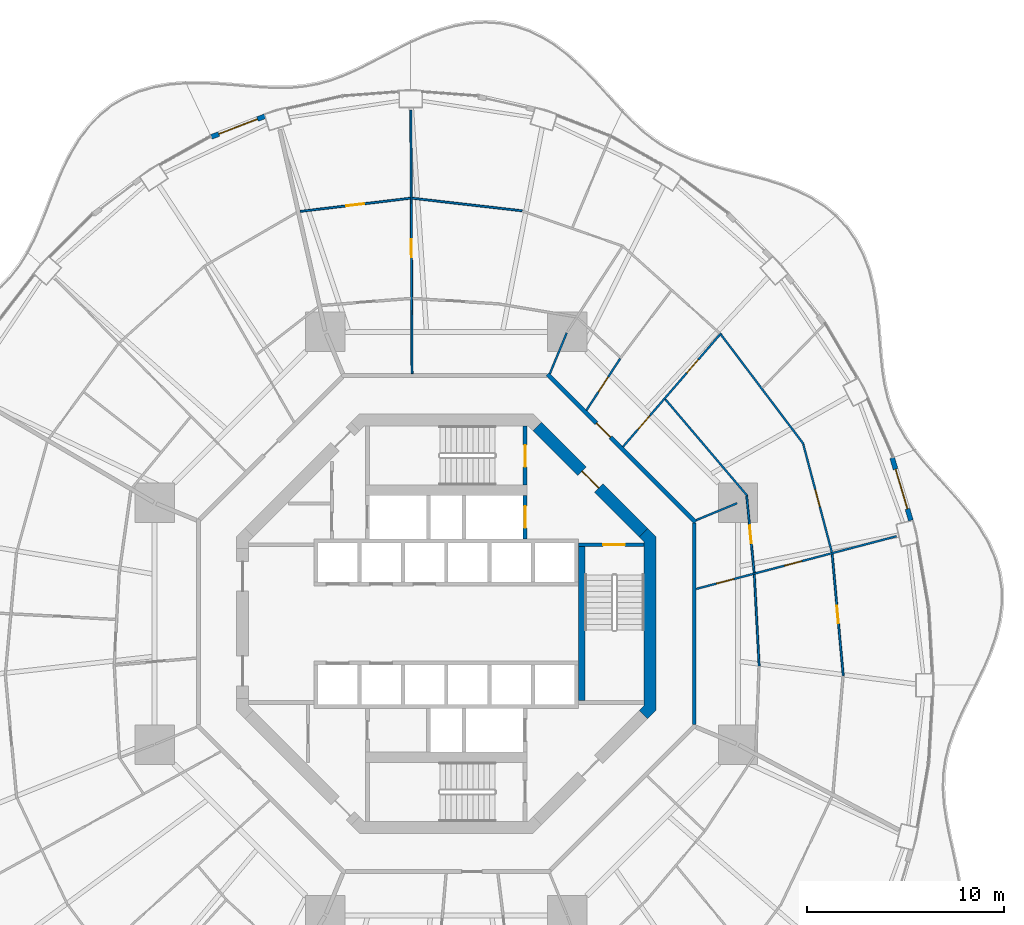
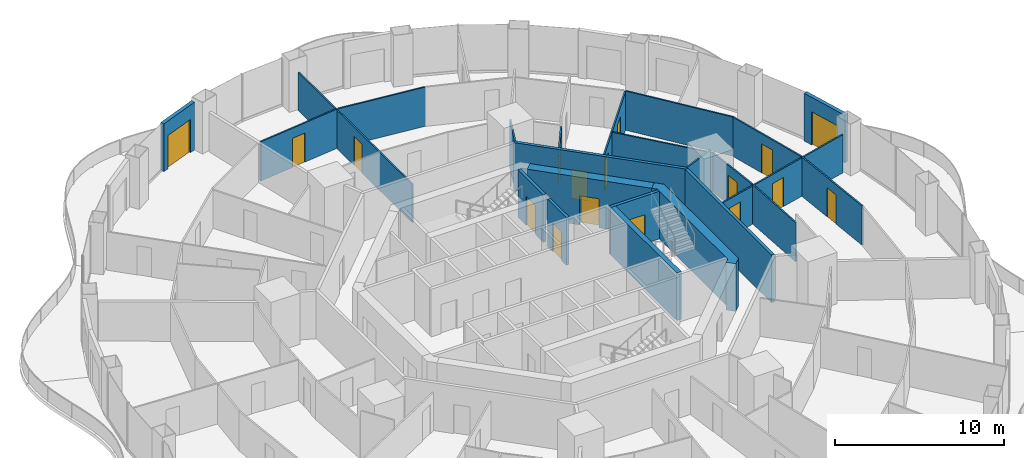
# One storey, part 16 of 20: 24 walls, 17 doors, 17 openings.
"""IFC4 building model written with IfcOpenShell, lengths in metres."""

from ifc_helpers import new_model, si_unit, direction, frame, frame_2d, origin, place, context, subcontext, project, spatial, polyline, rectangle, outline, extrude, material, layer, layer_set, type_object, element, fill, save


model = new_model("IFC4")

# Units and contexts
model_context = context("Model", 3, precision=1e-05, world=origin(), true_north=direction((0.0, 1.0)))
body_context = subcontext(model_context, "Body", "Model", "MODEL_VIEW")
ifc_project = project(units=[si_unit("LENGTHUNIT", "METRE"), si_unit("AREAUNIT", "SQUARE_METRE"), si_unit("VOLUMEUNIT", "CUBIC_METRE"), si_unit("PLANEANGLEUNIT", "RADIAN"), si_unit("MASSUNIT", "GRAM", prefix="KILO")], contexts=[model_context])

# Site, building, storey
site_placement = place(None, origin())
site = spatial("IfcSite", under=ifc_project, at=site_placement, CompositionType="ELEMENT")
building_placement = place(site_placement, origin())
building = spatial("IfcBuilding", under=site, at=building_placement, Name="Nagisa Residences", CompositionType="ELEMENT")
storey_placement = place(building_placement, frame((0.0, 0.0, 141.800048828125)))
storey = spatial("IfcBuildingStorey", under=building, at=storey_placement, Name="L35", CompositionType="ELEMENT", Elevation=141.800048828125)

# Wall
ifc_material_1 = material(Name="Gypsum board on steel studs", Category="steel")
ifc_layer_1 = layer(ifc_material_1, 0.199951171875)
ifc_layer_set_1 = layer_set([ifc_layer_1], Name="Apartment entry wall EI60 200")
wall_type_1 = type_object("IfcWallType", Name="Apartment entry wall EI60 200", PredefinedType="PARTITIONING", material=ifc_layer_set_1)
wall_1_placement = place(storey_placement, frame((12.564697265625, -5.1044921875, 0.0), z_axis=(0.0, 0.0, 1.0), x_axis=(0.0, 1.0, 0.0)))
element("IfcWall", 1, at=wall_1_placement, inside=storey, type_object=wall_type_1, Name="wall:L35:u08", PredefinedType="PARTITIONING", context=body_context, shape_type="SweptSolid", body=[
    extrude(rectangle(XDim=10.208984375, YDim=0.199951171875, at=frame_2d((5.1044921875, 0.0))), origin(), (0.0, 0.0, 1.0), 3.43994140625),
])

# Wall, opening, door
wall_2_placement = place(storey_placement, frame((12.635498046875, 5.1337890625, 0.0), z_axis=(0.0, 0.0, 1.0), x_axis=(-0.707106781187, 0.707106781187, 0.0)))
wall_2 = element("IfcWall", 2, at=wall_2_placement, inside=storey, type_object=wall_type_1, Name="wall:L35:u09", PredefinedType="PARTITIONING", context=body_context, shape_type="SweptSolid", body=[
    extrude(rectangle(XDim=10.609130859375, YDim=0.199951171875, at=frame_2d((5.3046875, 0.0))), origin(), (0.0, 0.0, 1.0), 3.43994140625),
])
opening_1_placement = place(wall_2_placement, frame((6.105712890625, 0.0, 0.0)))
opening_1 = element("IfcOpeningElement", 3, at=opening_1_placement, cuts=wall_2, Name="Opening L35-U28", PredefinedType="OPENING", context=body_context, shape_type="SweptSolid", body=[
    extrude(rectangle(XDim=1.0, YDim=2.10009765625, at=frame_2d((0.5, 1.050048828125))), frame((0.0, 0.10986328125, 0.0), z_axis=(0.0, -1.0, 0.0), x_axis=(1.0, 0.0, 0.0)), (0.0, 0.0, 1.0), 0.219970703125),
])
ifc_material_2 = material(Name="Timber fire door set", Category="wood")
door_type_1 = type_object("IfcDoorType", Name="Apartment entry door FD30S 1000x2100", OperationType="NOTDEFINED", PredefinedType="DOOR", material=ifc_material_2)
door_1_placement = place(opening_1_placement, frame((1.0, 0.0, 0.0), x_axis=(-1.0, 0.0, 0.0)))
door_1 = element("IfcDoor", 4, at=door_1_placement, inside=storey, type_object=door_type_1, Name="Entry door, Apartment 35C", OperationType="SINGLE_SWING_LEFT", OverallHeight=2.10009765625, OverallWidth=1.0, PredefinedType="DOOR", context=body_context, shape_type="SweptSolid", body=[
    extrude(rectangle(XDim=1.0, YDim=2.10009765625, at=frame_2d((0.5, 1.050048828125))), frame((0.0, 0.02490234375, 0.0), z_axis=(0.0, -1.0, 0.0), x_axis=(1.0, 0.0, 0.0)), (0.0, 0.0, 1.0), 0.050048828125),
])
fill(opening_1, door_1)

# Wall
ifc_material_3 = material(Name="Gypsum board on steel studs", Category="steel")
ifc_layer_2 = layer(ifc_material_3, 0.10009765625)
ifc_layer_set_2 = layer_set([ifc_layer_2], Name="Apartment partition 100")
wall_type_2 = type_object("IfcWallType", Name="Apartment partition 100", PredefinedType="PARTITIONING", material=ifc_layer_set_2)
wall_3_placement = place(storey_placement, frame((15.853271484375, -2.158203125, 0.0), z_axis=(0.0, 0.0, 1.0), x_axis=(-0.052509224895, 0.998620439056, 0.0)))
element("IfcWall", 5, at=wall_3_placement, inside=storey, type_object=wall_type_2, Name="wall:L35:u16", PredefinedType="PARTITIONING", context=body_context, shape_type="SweptSolid", body=[
    extrude(rectangle(XDim=4.6494140625, YDim=0.10009765625, at=frame_2d((2.32470703125, 0.0))), origin(), (0.0, 0.0, 1.0), 2.827880859375),
])

# Wall, opening, door
wall_4_placement = place(storey_placement, frame((20.11474609375, -2.64208984375, 0.0), z_axis=(0.0, 0.0, 1.0), x_axis=(-0.090567755363, 0.995890296011, 0.0)))
wall_4 = element("IfcWall", 6, at=wall_4_placement, inside=storey, type_object=wall_type_2, Name="wall:L35:u18", PredefinedType="PARTITIONING", context=body_context, shape_type="SweptSolid", body=[
    extrude(rectangle(XDim=6.189208984375, YDim=0.10009765625, at=frame_2d((3.0947265625, 0.0))), origin(), (0.0, 0.0, 1.0), 2.827880859375),
])
opening_2_placement = place(wall_4_placement, frame((2.669677734375, 0.0, 0.0)))
opening_2 = element("IfcOpeningElement", 7, at=opening_2_placement, cuts=wall_4, Name="Opening L35-U40", PredefinedType="OPENING", context=body_context, shape_type="SweptSolid", body=[
    extrude(rectangle(XDim=0.89990234375, YDim=2.10009765625, at=frame_2d((0.449951171875, 1.050048828125))), frame((0.0, 0.06005859375, 0.0), z_axis=(0.0, -1.0, 0.0), x_axis=(1.0, 0.0, 0.0)), (0.0, 0.0, 1.0), 0.1201171875),
])
ifc_material_4 = material(Name="Timber door set", Category="wood")
door_type_2 = type_object("IfcDoorType", Name="Apartment door 900x2100", OperationType="NOTDEFINED", PredefinedType="DOOR", material=ifc_material_4)
door_2_placement = place(opening_2_placement, frame((0.89990234375, 0.0, 0.0), x_axis=(-1.0, 0.0, 0.0)))
door_2 = element("IfcDoor", 8, at=door_2_placement, inside=storey, type_object=door_type_2, Name="Door to family room, Apartment 35C", OperationType="SINGLE_SWING_LEFT", OverallHeight=2.10009765625, OverallWidth=0.89990234375, PredefinedType="DOOR", context=body_context, shape_type="SweptSolid", body=[
    extrude(rectangle(XDim=0.89990234375, YDim=2.10009765625, at=frame_2d((0.449951171875, 1.050048828125))), frame((0.0, 0.02490234375, 0.0), z_axis=(0.0, -1.0, 0.0), x_axis=(1.0, 0.0, 0.0)), (0.0, 0.0, 1.0), 0.050048828125),
])
fill(opening_2, door_2)

# Wall, openings, doors
wall_5_placement = place(storey_placement, frame((12.661376953125, 1.76025390625, 0.0), z_axis=(0.0, 0.0, 1.0), x_axis=(0.967120304949, 0.254319318488, 0.0)))
wall_5 = element("IfcWall", 9, at=wall_5_placement, inside=storey, type_object=wall_type_2, Name="wall:L35:u20", PredefinedType="PARTITIONING", context=body_context, shape_type="SweptSolid", body=[
    extrude(rectangle(XDim=10.499267578125, YDim=0.10009765625, at=frame_2d((5.24951171875, 0.0))), origin(), (0.0, 0.0, 1.0), 2.755859375),
])
opening_3_placement = place(wall_5_placement, frame((4.6337890625, 0.0, 0.0)))
opening_3 = element("IfcOpeningElement", 10, at=opening_3_placement, cuts=wall_5, Name="Opening L35-U37", PredefinedType="OPENING", context=body_context, shape_type="SweptSolid", body=[
    extrude(rectangle(XDim=0.89990234375, YDim=2.10009765625, at=frame_2d((0.449951171875, 1.050048828125))), frame((0.0, 0.06005859375, 0.0), z_axis=(0.0, -1.0, 0.0), x_axis=(1.0, 0.0, 0.0)), (0.0, 0.0, 1.0), 0.1201171875),
])
opening_4_placement = place(wall_5_placement, frame((1.072509765625, 0.0, 0.0)))
opening_4 = element("IfcOpeningElement", 11, at=opening_4_placement, cuts=wall_5, Name="Opening L35-U42", PredefinedType="OPENING", context=body_context, shape_type="SweptSolid", body=[
    extrude(rectangle(XDim=0.89990234375, YDim=2.10009765625, at=frame_2d((0.449951171875, 1.050048828125))), frame((0.0, 0.06005859375, 0.0), z_axis=(0.0, -1.0, 0.0), x_axis=(1.0, 0.0, 0.0)), (0.0, 0.0, 1.0), 0.1201171875),
])
door_3_placement = place(opening_3_placement, frame((0.89990234375, 0.0, 0.0), x_axis=(-1.0, 0.0, 0.0)))
door_3 = element("IfcDoor", 12, at=door_3_placement, inside=storey, type_object=door_type_2, Name="Door to family room, Apartment 35C", OperationType="SINGLE_SWING_RIGHT", OverallHeight=2.10009765625, OverallWidth=0.89990234375, PredefinedType="DOOR", context=body_context, shape_type="SweptSolid", body=[
    extrude(rectangle(XDim=0.89990234375, YDim=2.10009765625, at=frame_2d((0.449951171875, 1.050048828125))), frame((0.0, 0.02490234375, 0.0), z_axis=(0.0, -1.0, 0.0), x_axis=(1.0, 0.0, 0.0)), (0.0, 0.0, 1.0), 0.050048828125),
])
fill(opening_3, door_3)
door_4_placement = place(opening_4_placement, frame((0.89990234375, 0.0, 0.0), x_axis=(-1.0, 0.0, 0.0)))
door_4 = element("IfcDoor", 13, at=door_4_placement, inside=storey, type_object=door_type_2, Name="Door to store, Apartment 35C", OperationType="SINGLE_SWING_LEFT", OverallHeight=2.10009765625, OverallWidth=0.89990234375, PredefinedType="DOOR", context=body_context, shape_type="SweptSolid", body=[
    extrude(rectangle(XDim=0.89990234375, YDim=2.10009765625, at=frame_2d((0.449951171875, 1.050048828125))), frame((0.0, 0.02490234375, 0.0), z_axis=(0.0, -1.0, 0.0), x_axis=(1.0, 0.0, 0.0)), (0.0, 0.0, 1.0), 0.050048828125),
])
fill(opening_4, door_4)

# Wall, opening, door
wall_6_placement = place(storey_placement, frame((15.601806640625, 2.58447265625, 0.0), z_axis=(0.0, 0.0, 1.0), x_axis=(-0.097207196705, 0.995264166394, 0.0)))
wall_6 = element("IfcWall", 14, at=wall_6_placement, inside=storey, type_object=wall_type_2, Name="wall:L35:u21", PredefinedType="PARTITIONING", context=body_context, shape_type="SweptSolid", body=[
    extrude(rectangle(XDim=3.905517578125, YDim=0.10009765625, at=frame_2d((1.95263671875, 0.0))), origin(), (0.0, 0.0, 1.0), 2.827880859375),
])
opening_5_placement = place(wall_6_placement, frame((1.502685546875, 0.0, 0.0)))
opening_5 = element("IfcOpeningElement", 15, at=opening_5_placement, cuts=wall_6, Name="Opening L35-U36", PredefinedType="OPENING", context=body_context, shape_type="SweptSolid", body=[
    extrude(rectangle(XDim=0.89990234375, YDim=2.10009765625, at=frame_2d((0.449951171875, 1.050048828125))), frame((0.0, 0.06005859375, 0.0), z_axis=(0.0, -1.0, 0.0), x_axis=(1.0, 0.0, 0.0)), (0.0, 0.0, 1.0), 0.1201171875),
])
door_5_placement = place(opening_5_placement, origin())
door_5 = element("IfcDoor", 16, at=door_5_placement, inside=storey, type_object=door_type_2, Name="Door to laundry, Apartment 35C", OperationType="SINGLE_SWING_RIGHT", OverallHeight=2.10009765625, OverallWidth=0.89990234375, PredefinedType="DOOR", context=body_context, shape_type="SweptSolid", body=[
    extrude(rectangle(XDim=0.89990234375, YDim=2.10009765625, at=frame_2d((0.449951171875, 1.050048828125))), frame((0.0, 0.02490234375, 0.0), z_axis=(0.0, -1.0, 0.0), x_axis=(1.0, 0.0, 0.0)), (0.0, 0.0, 1.0), 0.050048828125),
])
fill(opening_5, door_5)

wall_7_placement = place(storey_placement, frame((19.536865234375, 3.619873046875, 0.0), z_axis=(0.0, 0.0, 1.0), x_axis=(-0.255892560316, 0.966705227862, 0.0)))
wall_7 = element("IfcWall", 17, at=wall_7_placement, inside=storey, type_object=wall_type_2, Name="wall:L35:u22", PredefinedType="PARTITIONING", context=body_context, shape_type="SweptSolid", body=[
    extrude(rectangle(XDim=5.65869140625, YDim=0.10009765625, at=frame_2d((2.829345703125, 0.0))), origin(), (0.0, 0.0, 1.0), 2.827880859375),
])
opening_6_placement = place(wall_7_placement, frame((2.37939453125, 0.0, 0.0)))
opening_6 = element("IfcOpeningElement", 18, at=opening_6_placement, cuts=wall_7, Name="Opening L35-U33", PredefinedType="OPENING", context=body_context, shape_type="SweptSolid", body=[
    extrude(rectangle(XDim=0.89990234375, YDim=2.10009765625, at=frame_2d((0.449951171875, 1.050048828125))), frame((0.0, 0.06005859375, 0.0), z_axis=(0.0, -1.0, 0.0), x_axis=(1.0, 0.0, 0.0)), (0.0, 0.0, 1.0), 0.1201171875),
])
door_6_placement = place(opening_6_placement, frame((0.89990234375, 0.0, 0.0), x_axis=(-1.0, 0.0, 0.0)))
door_6 = element("IfcDoor", 19, at=door_6_placement, inside=storey, type_object=door_type_2, Name="Door to master bedroom, Apartment 35C", OperationType="SINGLE_SWING_RIGHT", OverallHeight=2.10009765625, OverallWidth=0.89990234375, PredefinedType="DOOR", context=body_context, shape_type="SweptSolid", body=[
    extrude(rectangle(XDim=0.89990234375, YDim=2.10009765625, at=frame_2d((0.449951171875, 1.050048828125))), frame((0.0, 0.02490234375, 0.0), z_axis=(0.0, -1.0, 0.0), x_axis=(1.0, 0.0, 0.0)), (0.0, 0.0, 1.0), 0.050048828125),
])
fill(opening_6, door_6)

# Walls
wall_8_placement = place(storey_placement, frame((12.6572265625, 5.24267578125, 0.0), z_axis=(0.0, 0.0, 1.0), x_axis=(0.923864733477, 0.382719158442, 0.0)))
element("IfcWall", 20, at=wall_8_placement, inside=storey, type_object=wall_type_2, Name="wall:L35:u23", PredefinedType="PARTITIONING", context=body_context, shape_type="SweptSolid", body=[
    extrude(rectangle(XDim=2.25, YDim=0.10009765625, at=frame_2d((1.125, 0.0))), origin(), (0.0, 0.0, 1.0), 3.43994140625),
])
wall_9_placement = place(storey_placement, frame((15.24951171875, 6.483154296875, 0.0), z_axis=(0.0, 0.0, 1.0), x_axis=(-0.647379829894, 0.762167537912, 0.0)))
element("IfcWall", 21, at=wall_9_placement, inside=storey, type_object=wall_type_2, Name="wall:L35:u24", PredefinedType="PARTITIONING", context=body_context, shape_type="SweptSolid", body=[
    extrude(rectangle(XDim=6.41259765625, YDim=0.10009765625, at=frame_2d((3.206298828125, 0.0))), origin(), (0.0, 0.0, 1.0), 2.827880859375),
])
wall_10_placement = place(storey_placement, frame((18.106201171875, 9.098388671875, 0.0), z_axis=(0.0, 0.0, 1.0), x_axis=(-0.602393803621, 0.798199038686, 0.0)))
element("IfcWall", 22, at=wall_10_placement, inside=storey, type_object=wall_type_2, Name="wall:L35:u25", PredefinedType="PARTITIONING", context=body_context, shape_type="SweptSolid", body=[
    extrude(rectangle(XDim=6.94384765625, YDim=0.10009765625, at=frame_2d((3.471923828125, 0.0))), origin(), (0.0, 0.0, 1.0), 2.827880859375),
])

# Wall, openings, doors
wall_11_placement = place(storey_placement, frame((8.949951171875, 8.960205078125, 0.0), z_axis=(0.0, 0.0, 1.0), x_axis=(0.653829477183, 0.756641932995, 0.0)))
wall_11 = element("IfcWall", 23, at=wall_11_placement, inside=storey, type_object=wall_type_2, Name="wall:L35:u27", PredefinedType="PARTITIONING", context=body_context, shape_type="SweptSolid", body=[
    extrude(rectangle(XDim=7.610595703125, YDim=0.10009765625, at=frame_2d((3.80517578125, 0.0))), origin(), (0.0, 0.0, 1.0), 2.755859375),
])
opening_7_placement = place(wall_11_placement, frame((1.16796875, 0.0, 0.0)))
opening_7 = element("IfcOpeningElement", 24, at=opening_7_placement, cuts=wall_11, Name="Opening L35-U29", PredefinedType="OPENING", context=body_context, shape_type="SweptSolid", body=[
    extrude(rectangle(XDim=0.89990234375, YDim=2.10009765625, at=frame_2d((0.449951171875, 1.050048828125))), frame((0.0, 0.06005859375, 0.0), z_axis=(0.0, -1.0, 0.0), x_axis=(1.0, 0.0, 0.0)), (0.0, 0.0, 1.0), 0.1201171875),
])
opening_8_placement = place(wall_11_placement, frame((4.9482421875, 0.0, 0.0)))
opening_8 = element("IfcOpeningElement", 25, at=opening_8_placement, cuts=wall_11, Name="Opening L35-U31", PredefinedType="OPENING", context=body_context, shape_type="SweptSolid", body=[
    extrude(rectangle(XDim=0.89990234375, YDim=2.10009765625, at=frame_2d((0.449951171875, 1.050048828125))), frame((0.0, 0.06005859375, 0.0), z_axis=(0.0, -1.0, 0.0), x_axis=(1.0, 0.0, 0.0)), (0.0, 0.0, 1.0), 0.1201171875),
])
door_7_placement = place(opening_7_placement, frame((0.89990234375, 0.0, 0.0), x_axis=(-1.0, 0.0, 0.0)))
door_7 = element("IfcDoor", 26, at=door_7_placement, inside=storey, type_object=door_type_2, Name="Door to family bathroom, Apartment 35C", OperationType="SINGLE_SWING_RIGHT", OverallHeight=2.10009765625, OverallWidth=0.89990234375, PredefinedType="DOOR", context=body_context, shape_type="SweptSolid", body=[
    extrude(rectangle(XDim=0.89990234375, YDim=2.10009765625, at=frame_2d((0.449951171875, 1.050048828125))), frame((0.0, 0.02490234375, 0.0), z_axis=(0.0, -1.0, 0.0), x_axis=(1.0, 0.0, 0.0)), (0.0, 0.0, 1.0), 0.050048828125),
])
fill(opening_7, door_7)
door_8_placement = place(opening_8_placement, frame((0.89990234375, 0.0, 0.0), x_axis=(-1.0, 0.0, 0.0)))
door_8 = element("IfcDoor", 27, at=door_8_placement, inside=storey, type_object=door_type_2, Name="Door to kitchen, Apartment 35C", OperationType="SINGLE_SWING_RIGHT", OverallHeight=2.10009765625, OverallWidth=0.89990234375, PredefinedType="DOOR", context=body_context, shape_type="SweptSolid", body=[
    extrude(rectangle(XDim=0.89990234375, YDim=2.10009765625, at=frame_2d((0.449951171875, 1.050048828125))), frame((0.0, 0.02490234375, 0.0), z_axis=(0.0, -1.0, 0.0), x_axis=(1.0, 0.0, 0.0)), (0.0, 0.0, 1.0), 0.050048828125),
])
fill(opening_8, door_8)

# Wall, opening, door
wall_12_placement = place(storey_placement, frame((7.09912109375, 10.808349609375, 0.0), z_axis=(0.0, 0.0, 1.0), x_axis=(0.546709757921, 0.837322184463, 0.0)))
wall_12 = element("IfcWall", 28, at=wall_12_placement, inside=storey, type_object=wall_type_2, Name="wall:L35:u29", PredefinedType="PARTITIONING", context=body_context, shape_type="SweptSolid", body=[
    extrude(rectangle(XDim=3.133544921875, YDim=0.10009765625, at=frame_2d((1.56689453125, 0.0))), origin(), (0.0, 0.0, 1.0), 2.755859375),
])
opening_9_placement = place(wall_12_placement, frame((1.11669921875, 0.0, 0.0)))
opening_9 = element("IfcOpeningElement", 29, at=opening_9_placement, cuts=wall_12, Name="Opening L35-U30", PredefinedType="OPENING", context=body_context, shape_type="SweptSolid", body=[
    extrude(rectangle(XDim=0.89990234375, YDim=2.10009765625, at=frame_2d((0.449951171875, 1.050048828125))), frame((0.0, 0.06005859375, 0.0), z_axis=(0.0, -1.0, 0.0), x_axis=(1.0, 0.0, 0.0)), (0.0, 0.0, 1.0), 0.1201171875),
])
door_9_placement = place(opening_9_placement, origin())
door_9 = element("IfcDoor", 30, at=door_9_placement, inside=storey, type_object=door_type_2, Name="Door to family bathroom, Apartment 35C", OperationType="SINGLE_SWING_RIGHT", OverallHeight=2.10009765625, OverallWidth=0.89990234375, PredefinedType="DOOR", context=body_context, shape_type="SweptSolid", body=[
    extrude(rectangle(XDim=0.89990234375, YDim=2.10009765625, at=frame_2d((0.449951171875, 1.050048828125))), frame((0.0, 0.02490234375, 0.0), z_axis=(0.0, -1.0, 0.0), x_axis=(1.0, 0.0, 0.0)), (0.0, 0.0, 1.0), 0.050048828125),
])
fill(opening_9, door_9)

# Walls
wall_13_placement = place(storey_placement, frame((5.24267578125, 12.6572265625, 0.0), z_axis=(0.0, 0.0, 1.0), x_axis=(0.382703272338, 0.923871314276, 0.0)))
element("IfcWall", 31, at=wall_13_placement, inside=storey, type_object=wall_type_2, Name="wall:L35:u32", PredefinedType="PARTITIONING", context=body_context, shape_type="SweptSolid", body=[
    extrude(rectangle(XDim=2.249267578125, YDim=0.10009765625, at=frame_2d((1.12451171875, 0.0))), origin(), (0.0, 0.0, 1.0), 3.43994140625),
])
wall_14_placement = place(storey_placement, frame((3.850830078125, 20.9189453125, 0.0), z_axis=(0.0, 0.0, 1.0), x_axis=(-0.993519908136, 0.11365822512, 0.0)))
element("IfcWall", 32, at=wall_14_placement, inside=storey, type_object=wall_type_2, Name="wall:L35:u38", PredefinedType="PARTITIONING", context=body_context, shape_type="SweptSolid", body=[
    extrude(rectangle(XDim=5.61279296875, YDim=0.10009765625, at=frame_2d((2.806396484375, 0.0))), origin(), (0.0, 0.0, 1.0), 2.827880859375),
])

# Wall, opening, door
wall_15_placement = place(storey_placement, frame((-1.7353515625, 12.664794921875, 0.0), z_axis=(0.0, 0.0, 1.0), x_axis=(-0.004494500855, 0.99998989968, 0.0)))
wall_15 = element("IfcWall", 33, at=wall_15_placement, inside=storey, type_object=wall_type_2, Name="wall:L35:u39", PredefinedType="PARTITIONING", context=body_context, shape_type="SweptSolid", body=[
    extrude(rectangle(XDim=13.36279296875, YDim=0.10009765625, at=frame_2d((6.681396484375, 0.0))), origin(), (0.0, 0.0, 1.0), 2.755859375),
])
opening_10_placement = place(wall_15_placement, frame((5.908203125, 0.0, 0.0)))
opening_10 = element("IfcOpeningElement", 34, at=opening_10_placement, cuts=wall_15, Name="Opening L35-U39", PredefinedType="OPENING", context=body_context, shape_type="SweptSolid", body=[
    extrude(rectangle(XDim=0.89990234375, YDim=2.10009765625, at=frame_2d((0.449951171875, 1.050048828125))), frame((0.0, 0.06005859375, 0.0), z_axis=(0.0, -1.0, 0.0), x_axis=(1.0, 0.0, 0.0)), (0.0, 0.0, 1.0), 0.1201171875),
])
door_10_placement = place(opening_10_placement, origin())
door_10 = element("IfcDoor", 35, at=door_10_placement, inside=storey, type_object=door_type_2, Name="Door to study, Apartment 35C", OperationType="SINGLE_SWING_LEFT", OverallHeight=2.10009765625, OverallWidth=0.89990234375, PredefinedType="DOOR", context=body_context, shape_type="SweptSolid", body=[
    extrude(rectangle(XDim=0.89990234375, YDim=2.10009765625, at=frame_2d((0.449951171875, 1.050048828125))), frame((0.0, 0.02490234375, 0.0), z_axis=(0.0, -1.0, 0.0), x_axis=(1.0, 0.0, 0.0)), (0.0, 0.0, 1.0), 0.050048828125),
])
fill(opening_10, door_10)

wall_16_placement = place(storey_placement, frame((-1.824951171875, 21.556640625, 0.0), z_axis=(0.0, 0.0, 1.0), x_axis=(-0.992915053711, -0.11882632753, 0.0)))
wall_16 = element("IfcWall", 36, at=wall_16_placement, inside=storey, type_object=wall_type_2, Name="wall:L35:u41", PredefinedType="PARTITIONING", context=body_context, shape_type="SweptSolid", body=[
    extrude(rectangle(XDim=5.615234375, YDim=0.10009765625, at=frame_2d((2.8076171875, 0.0))), origin(), (0.0, 0.0, 1.0), 2.827880859375),
])
opening_11_placement = place(wall_16_placement, frame((2.357666015625, 0.0, 0.0)))
opening_11 = element("IfcOpeningElement", 37, at=opening_11_placement, cuts=wall_16, Name="Opening L35-U41", PredefinedType="OPENING", context=body_context, shape_type="SweptSolid", body=[
    extrude(rectangle(XDim=0.89990234375, YDim=2.10009765625, at=frame_2d((0.449951171875, 1.050048828125))), frame((0.0, 0.06005859375, 0.0), z_axis=(0.0, -1.0, 0.0), x_axis=(1.0, 0.0, 0.0)), (0.0, 0.0, 1.0), 0.1201171875),
])
door_11_placement = place(opening_11_placement, frame((0.89990234375, 0.0, 0.0), x_axis=(-1.0, 0.0, 0.0)))
door_11 = element("IfcDoor", 38, at=door_11_placement, inside=storey, type_object=door_type_2, Name="Door to bedroom, Apartment 35C", OperationType="SINGLE_SWING_RIGHT", OverallHeight=2.10009765625, OverallWidth=0.89990234375, PredefinedType="DOOR", context=body_context, shape_type="SweptSolid", body=[
    extrude(rectangle(XDim=0.89990234375, YDim=2.10009765625, at=frame_2d((0.449951171875, 1.050048828125))), frame((0.0, 0.02490234375, 0.0), z_axis=(0.0, -1.0, 0.0), x_axis=(1.0, 0.0, 0.0)), (0.0, 0.0, 1.0), 0.050048828125),
])
fill(opening_11, door_11)

ifc_material_5 = material(Name="Precast concrete C40/50", Category="concrete")
ifc_layer_3 = layer(ifc_material_5, 0.25)
ifc_layer_set_3 = layer_set([ifc_layer_3], Name="BALCONY DOOR WALL 250")
wall_type_3 = type_object("IfcWallType", Name="BALCONY DOOR WALL 250", PredefinedType="SOLIDWALL", material=ifc_layer_set_3)
wall_17_placement = place(storey_placement, frame((22.595458984375, 8.401611328125, 0.0), z_axis=(0.0, 0.0, 1.0), x_axis=(0.285842038783, -0.958276749621, 0.0)))
wall_17 = element("IfcWall", 39, at=wall_17_placement, inside=storey, type_object=wall_type_3, Name="wall:L35:bay02", PredefinedType="SOLIDWALL", context=body_context, shape_type="SweptSolid", body=[
    extrude(rectangle(XDim=3.302734375, YDim=0.25, at=frame_2d((1.6513671875, 0.0))), origin(), (0.0, 0.0, 1.0), 3.43994140625),
])
opening_12_placement = place(wall_17_placement, frame((0.6015625, 0.0, 0.0)))
opening_12 = element("IfcOpeningElement", 40, at=opening_12_placement, cuts=wall_17, Name="Opening BD-L35-01", PredefinedType="OPENING", context=body_context, shape_type="SweptSolid", body=[
    extrude(rectangle(XDim=2.10009765625, YDim=2.39990234375, at=frame_2d((1.050048828125, 1.199951171875))), frame((0.0, 0.135009765625, 0.0), z_axis=(0.0, -1.0, 0.0), x_axis=(1.0, 0.0, 0.0)), (0.0, 0.0, 1.0), 0.27001953125),
])
ifc_material_6 = material(Name="Aluminium and clear glass", Category="aluminium")
door_type_3 = type_object("IfcDoorType", Name="BALCONY SLIDING DOOR 2100x2400", OperationType="SLIDING_TO_LEFT", PredefinedType="DOOR", material=ifc_material_6)
door_12_placement = place(opening_12_placement, origin())
door_12 = element("IfcDoor", 41, at=door_12_placement, inside=storey, type_object=door_type_3, Name="door:L35:bay02", OperationType="SLIDING_TO_LEFT", OverallHeight=2.39990234375, OverallWidth=2.10009765625, PredefinedType="DOOR", context=body_context, shape_type="SweptSolid", body=[
    extrude(rectangle(XDim=2.10009765625, YDim=2.39990234375, at=frame_2d((1.050048828125, 1.199951171875))), frame((0.0, 0.02490234375, 0.0), z_axis=(0.0, -1.0, 0.0), x_axis=(1.0, 0.0, 0.0)), (0.0, 0.0, 1.0), 0.050048828125),
])
fill(opening_12, door_12)

wall_18_placement = place(storey_placement, frame((-11.909423828125, 24.662353515625, 0.0), z_axis=(0.0, 0.0, 1.0), x_axis=(0.932845344347, 0.360277064952, 0.0)))
wall_18 = element("IfcWall", 42, at=wall_18_placement, inside=storey, type_object=wall_type_3, Name="wall:L35:bay14", PredefinedType="SOLIDWALL", context=body_context, shape_type="SweptSolid", body=[
    extrude(rectangle(XDim=2.92333984375, YDim=0.25, at=frame_2d((1.461669921875, 0.0))), origin(), (0.0, 0.0, 1.0), 3.43994140625),
])
opening_13_placement = place(wall_18_placement, frame((0.41162109375, 0.0, 0.0)))
opening_13 = element("IfcOpeningElement", 43, at=opening_13_placement, cuts=wall_18, Name="Opening BD-L35-05", PredefinedType="OPENING", context=body_context, shape_type="SweptSolid", body=[
    extrude(rectangle(XDim=2.10009765625, YDim=2.39990234375, at=frame_2d((1.050048828125, 1.199951171875))), frame((0.0, 0.135009765625, 0.0), z_axis=(0.0, -1.0, 0.0), x_axis=(1.0, 0.0, 0.0)), (0.0, 0.0, 1.0), 0.27001953125),
])
door_13_placement = place(opening_13_placement, origin())
door_13 = element("IfcDoor", 44, at=door_13_placement, inside=storey, type_object=door_type_3, Name="door:L35:bay14", OperationType="SLIDING_TO_LEFT", OverallHeight=2.39990234375, OverallWidth=2.10009765625, PredefinedType="DOOR", context=body_context, shape_type="SweptSolid", body=[
    extrude(rectangle(XDim=2.10009765625, YDim=2.39990234375, at=frame_2d((1.050048828125, 1.199951171875))), frame((0.0, 0.02490234375, 0.0), z_axis=(0.0, -1.0, 0.0), x_axis=(1.0, 0.0, 0.0)), (0.0, 0.0, 1.0), 0.050048828125),
])
fill(opening_13, door_13)

ifc_material_7 = material(Name="Concrete C60", Category="concrete")
ifc_layer_4 = layer(ifc_material_7, 0.60009765625)
ifc_layer_set_4 = layer_set([ifc_layer_4], Name="Core shear wall 600")
wall_type_4 = type_object("IfcWallType", Name="Core shear wall 600", PredefinedType="SHEAR", material=ifc_layer_set_4)
wall_19_placement = place(storey_placement, frame((9.98828125, 4.613037109375, 0.0), z_axis=(0.0, 0.0, 1.0), x_axis=(-0.707106781187, 0.707106781187, 0.0)))
wall_19 = element("IfcWall", 45, at=wall_19_placement, inside=storey, type_object=wall_type_4, Name="wall:L35:core:flat1", PredefinedType="SHEAR", context=body_context, shape_type="SweptSolid", body=[
    extrude(rectangle(XDim=7.601806640625, YDim=0.60009765625, at=frame_2d((3.80078125, 0.0))), origin(), (0.0, 0.0, 1.0), 3.43994140625),
])
opening_14_placement = place(wall_19_placement, frame((3.200927734375, 0.0, 0.0)))
opening_14 = element("IfcOpeningElement", 46, at=opening_14_placement, cuts=wall_19, Name="Opening L35-C16", PredefinedType="OPENING", context=body_context, shape_type="SweptSolid", body=[
    extrude(rectangle(XDim=1.199951171875, YDim=2.10009765625, at=frame_2d((0.60009765625, 1.050048828125))), frame((0.0, 0.31005859375, 0.0), z_axis=(0.0, -1.0, 0.0), x_axis=(1.0, 0.0, 0.0)), (0.0, 0.0, 1.0), 0.6201171875),
])
ifc_material_8 = material(Name="Steel fire door", Category="steel")
door_type_4 = type_object("IfcDoorType", Name="Fire door EI60 1200x2100 single swing", OperationType="NOTDEFINED", PredefinedType="DOOR", material=ifc_material_8)
door_14_placement = place(opening_14_placement, origin())
door_14 = element("IfcDoor", 47, at=door_14_placement, inside=storey, type_object=door_type_4, Name="Firefighting lobby 1 door L35", OperationType="SINGLE_SWING_RIGHT", OverallHeight=2.10009765625, OverallWidth=1.199951171875, PredefinedType="DOOR", context=body_context, shape_type="SweptSolid", body=[
    extrude(rectangle(XDim=1.199951171875, YDim=2.10009765625, at=frame_2d((0.60009765625, 1.050048828125))), frame((0.0, 0.02490234375, 0.0), z_axis=(0.0, -1.0, 0.0), x_axis=(1.0, 0.0, 0.0)), (0.0, 0.0, 1.0), 0.050048828125),
])
fill(opening_14, door_14)

# Wall
wall_20_placement = place(storey_placement, origin())
element("IfcWall", 48, at=wall_20_placement, inside=storey, type_object=wall_type_4, Name="wall:L35:core:flat0", PredefinedType="SHEAR", context=body_context, shape_type="SweptSolid", body=[
    extrude(outline(polyline([(9.776123046875, -4.40087890625), (10.024658203125, -4.15234375), (10.024658203125, -3.801025390625), (10.024658203125, 4.15234375), (9.776123046875, 4.40087890625), (10.200439453125, 4.8251953125), (10.62451171875, 4.40087890625), (10.62451171875, -4.40087890625), (10.200439453125, -4.8251953125), (9.776123046875, -4.40087890625)])), origin(), (0.0, 0.0, 1.0), 3.43994140625),
])

# Wall, opening, door
ifc_material_9 = material(Name="Concrete C60", Category="concrete")
ifc_layer_5 = layer(ifc_material_9, 0.199951171875)
ifc_layer_set_5 = layer_set([ifc_layer_5], Name="Lift shaft wall 200")
wall_type_5 = type_object("IfcWallType", Name="Lift shaft wall 200", PredefinedType="SOLIDWALL", material=ifc_layer_set_5)
wall_21_placement = place(storey_placement, frame((4.0, 4.300048828125, 0.0), z_axis=(0.0, 0.0, 1.0), x_axis=(0.0, 1.0, 0.0)))
wall_21 = element("IfcWall", 49, at=wall_21_placement, inside=storey, type_object=wall_type_5, Name="wall:L35:Nb3", PredefinedType="SOLIDWALL", context=body_context, shape_type="SweptSolid", body=[
    extrude(rectangle(XDim=2.199951171875, YDim=0.199951171875, at=frame_2d((1.10009765625, 0.0))), origin(), (0.0, 0.0, 1.0), 3.43994140625),
])
opening_15_placement = place(wall_21_placement, frame((0.550048828125, 0.0, 0.0)))
opening_15 = element("IfcOpeningElement", 50, at=opening_15_placement, cuts=wall_21, Name="Opening L35-C06", PredefinedType="OPENING", context=body_context, shape_type="SweptSolid", body=[
    extrude(rectangle(XDim=1.10009765625, YDim=2.10009765625, at=frame_2d((0.550048828125, 1.050048828125))), frame((0.0, 0.10986328125, 0.0), z_axis=(0.0, -1.0, 0.0), x_axis=(1.0, 0.0, 0.0)), (0.0, 0.0, 1.0), 0.219970703125),
])
ifc_material_10 = material(Name="Stainless steel", Category="steel")
door_type_5 = type_object("IfcDoorType", Name="Lift landing door 1100x2100", OperationType="DOUBLE_DOOR_SLIDING", PredefinedType="DOOR", material=ifc_material_10)
door_15_placement = place(opening_15_placement, origin())
door_15 = element("IfcDoor", 51, at=door_15_placement, inside=storey, type_object=door_type_5, Name="Landing door FL1 L35", OperationType="DOUBLE_DOOR_SLIDING", OverallHeight=2.10009765625, OverallWidth=1.10009765625, PredefinedType="DOOR", context=body_context, shape_type="SweptSolid", body=[
    extrude(rectangle(XDim=1.10009765625, YDim=2.10009765625, at=frame_2d((0.550048828125, 1.050048828125))), frame((0.0, 0.02490234375, 0.0), z_axis=(0.0, -1.0, 0.0), x_axis=(1.0, 0.0, 0.0)), (0.0, 0.0, 1.0), 0.050048828125),
])
fill(opening_15, door_15)

ifc_material_11 = material(Name="Concrete C60", Category="concrete")
ifc_layer_6 = layer(ifc_material_11, 0.199951171875)
ifc_layer_set_6 = layer_set([ifc_layer_6], Name="Stair enclosure wall 200")
wall_type_6 = type_object("IfcWallType", Name="Stair enclosure wall 200", PredefinedType="SOLIDWALL", material=ifc_layer_set_6)
wall_22_placement = place(storey_placement, frame((6.699951171875, 4.0, 0.0), z_axis=(0.0, 0.0, 1.0), x_axis=(1.0, 0.0, 0.0)))
wall_22 = element("IfcWall", 52, at=wall_22_placement, inside=storey, type_object=wall_type_6, Name="wall:L35:SE_n", PredefinedType="SOLIDWALL", context=body_context, shape_type="SweptSolid", body=[
    extrude(rectangle(XDim=3.32470703125, YDim=0.199951171875, at=frame_2d((1.662353515625, 0.0))), origin(), (0.0, 0.0, 1.0), 3.43994140625),
])
opening_16_placement = place(wall_22_placement, frame((1.25, 0.0, 0.0)))
opening_16 = element("IfcOpeningElement", 53, at=opening_16_placement, cuts=wall_22, Name="Opening L35-C09", PredefinedType="OPENING", context=body_context, shape_type="SweptSolid", body=[
    extrude(rectangle(XDim=1.10009765625, YDim=2.10009765625, at=frame_2d((0.550048828125, 1.050048828125))), frame((0.0, 0.10986328125, 0.0), z_axis=(0.0, -1.0, 0.0), x_axis=(1.0, 0.0, 0.0)), (0.0, 0.0, 1.0), 0.219970703125),
])
ifc_material_12 = material(Name="Steel fire door", Category="steel")
door_type_6 = type_object("IfcDoorType", Name="Fire door EI90 1100x2100 single swing", OperationType="NOTDEFINED", PredefinedType="DOOR", material=ifc_material_12)
door_16_placement = place(opening_16_placement, frame((1.10009765625, 0.0, 0.0), x_axis=(-1.0, 0.0, 0.0)))
door_16 = element("IfcDoor", 54, at=door_16_placement, inside=storey, type_object=door_type_6, Name="Stair door ST-E L35", OperationType="SINGLE_SWING_RIGHT", OverallHeight=2.10009765625, OverallWidth=1.10009765625, PredefinedType="DOOR", context=body_context, shape_type="SweptSolid", body=[
    extrude(rectangle(XDim=1.10009765625, YDim=2.10009765625, at=frame_2d((0.550048828125, 1.050048828125))), frame((0.0, 0.02490234375, 0.0), z_axis=(0.0, -1.0, 0.0), x_axis=(1.0, 0.0, 0.0)), (0.0, 0.0, 1.0), 0.050048828125),
])
fill(opening_16, door_16)

wall_23_placement = place(storey_placement, frame((4.0, 7.024658203125, 0.0), z_axis=(0.0, 0.0, 1.0), x_axis=(0.0, 1.0, 0.0)))
wall_23 = element("IfcWall", 55, at=wall_23_placement, inside=storey, type_object=wall_type_6, Name="wall:L35:SN_e", PredefinedType="SOLIDWALL", context=body_context, shape_type="SweptSolid", body=[
    extrude(rectangle(XDim=3.0, YDim=0.199951171875, at=frame_2d((1.5, 0.0))), origin(), (0.0, 0.0, 1.0), 3.43994140625),
])
opening_17_placement = place(wall_23_placement, frame((0.92529296875, 0.0, 0.0)))
opening_17 = element("IfcOpeningElement", 56, at=opening_17_placement, cuts=wall_23, Name="Opening L35-C10", PredefinedType="OPENING", context=body_context, shape_type="SweptSolid", body=[
    extrude(rectangle(XDim=1.10009765625, YDim=2.10009765625, at=frame_2d((0.550048828125, 1.050048828125))), frame((0.0, 0.10986328125, 0.0), z_axis=(0.0, -1.0, 0.0), x_axis=(1.0, 0.0, 0.0)), (0.0, 0.0, 1.0), 0.219970703125),
])
door_17_placement = place(opening_17_placement, origin())
door_17 = element("IfcDoor", 57, at=door_17_placement, inside=storey, type_object=door_type_6, Name="Stair door ST-N L35", OperationType="SINGLE_SWING_LEFT", OverallHeight=2.10009765625, OverallWidth=1.10009765625, PredefinedType="DOOR", context=body_context, shape_type="SweptSolid", body=[
    extrude(rectangle(XDim=1.10009765625, YDim=2.10009765625, at=frame_2d((0.550048828125, 1.050048828125))), frame((0.0, 0.02490234375, 0.0), z_axis=(0.0, -1.0, 0.0), x_axis=(1.0, 0.0, 0.0)), (0.0, 0.0, 1.0), 0.050048828125),
])
fill(opening_17, door_17)

# Wall
wall_24_placement = place(storey_placement, origin())
element("IfcWall", 58, at=wall_24_placement, inside=storey, type_object=wall_type_6, Name="wall:L35:SE_w", PredefinedType="SOLIDWALL", context=body_context, shape_type="SweptSolid", body=[
    extrude(outline(polyline([(7.024658203125, -3.89990234375), (6.699951171875, -3.89990234375), (6.699951171875, 3.89990234375), (7.024658203125, 3.89990234375), (7.024658203125, -3.89990234375)])), origin(), (0.0, 0.0, 1.0), 3.43994140625),
])

save(model, "model.ifc")
